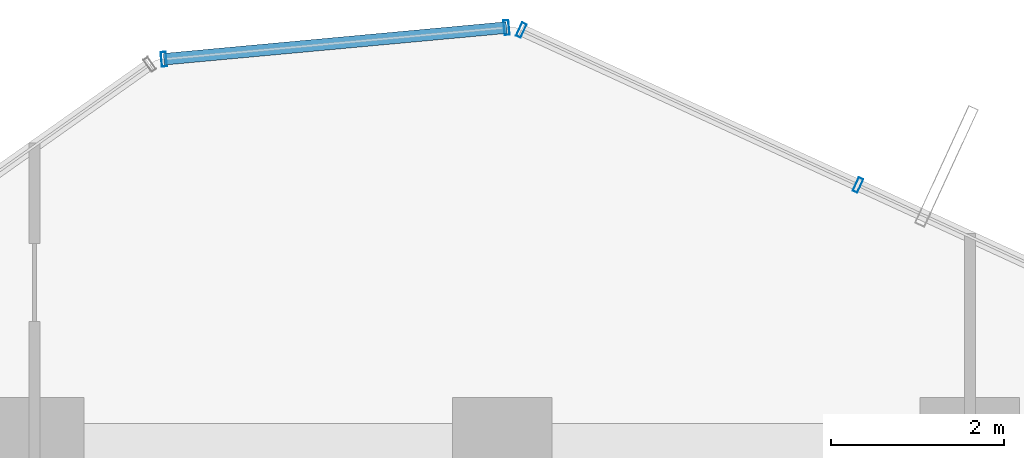
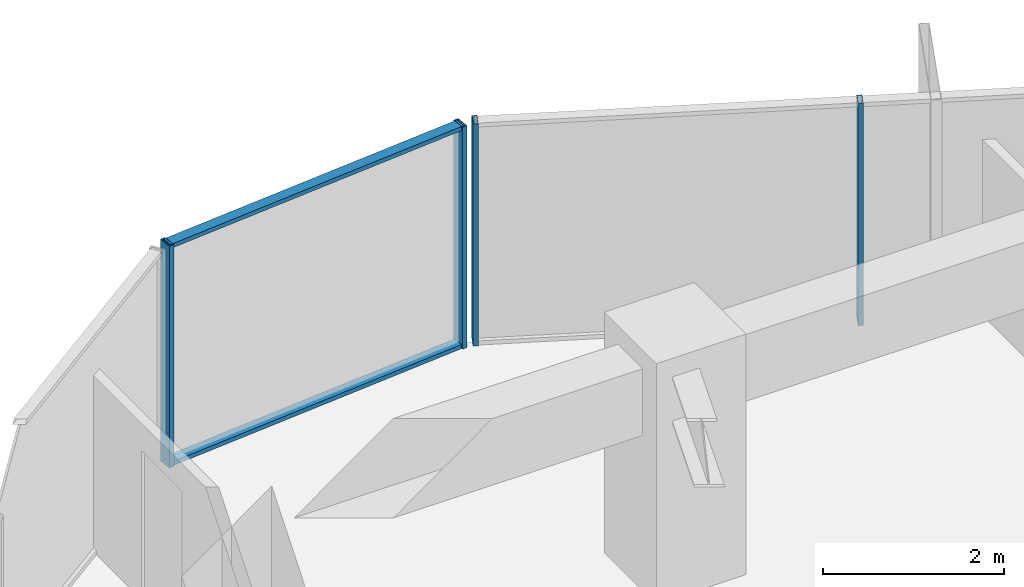
# One storey, part 25 of 33: 6 members, 2 elements without a shape of their own.
"""IFC4 building model written with IfcOpenShell, lengths in metres."""

from ifc_helpers import new_model, si_unit, direction, frame, origin, origin_2d, place, context, subcontext, project, spatial, hollow_rectangle, extrude, source, transform, mapped, material, layer, layer_set, material_profile, profile_set, type_object, element, aggregate, save


model = new_model("IFC4")

# Units and contexts
model_context = context("Model", 3, precision=1e-05, world=origin(), true_north=direction((0.0, 1.0)))
body_context = subcontext(model_context, "Body", "Model", "MODEL_VIEW")
ifc_project = project(units=[si_unit("LENGTHUNIT", "METRE"), si_unit("AREAUNIT", "SQUARE_METRE"), si_unit("VOLUMEUNIT", "CUBIC_METRE"), si_unit("PLANEANGLEUNIT", "RADIAN"), si_unit("MASSUNIT", "GRAM", prefix="KILO")], contexts=[model_context])

# Site, building, storey
site_placement = place(None, origin())
site = spatial("IfcSite", under=ifc_project, at=site_placement, CompositionType="ELEMENT")
building_placement = place(site_placement, origin())
building = spatial("IfcBuilding", under=site, at=building_placement, Name="Veraguas Prism Commons", CompositionType="ELEMENT")
storey_placement = place(building_placement, frame((0.0, 0.0, 145.75)))
storey = spatial("IfcBuildingStorey", under=building, at=storey_placement, Name="L41", CompositionType="ELEMENT", Elevation=145.75)

# Curtain wall, members
ifc_material = material(Name="Anodised aluminium EN AW-6063 T6", Category="aluminium")
ifc_layer = layer(ifc_material, 0.169921875, Name="Unitised Flush Curtain Wall Zone 2", Category="aluminium")
ifc_layer_set = layer_set([ifc_layer], Name="Anodised aluminium EN AW-6063 T6")
curtain_wall_type = type_object("IfcCurtainWallType", Name="Unitised Flush Curtain Wall Zone 2", PredefinedType="NOTDEFINED", material=ifc_layer_set)
curtain_wall_1_placement = place(storey_placement, origin())
curtain_wall_1 = element("IfcCurtainWall", 1, at=curtain_wall_1_placement, inside=storey, type_object=curtain_wall_type, Name="Tower Facade Curtain Wall L41-F1", PredefinedType="NOTDEFINED")
ifc_material_profile_1 = material_profile(ifc_material, hollow_rectangle(XDim=0.06005859375, YDim=0.169921875, WallThickness=0.00390625, at=origin_2d()), Name="AL60X170X4")
ifc_profile_set_1 = profile_set([ifc_material_profile_1], Name="Anodised aluminium EN AW-6063 T6")
member_type_1 = type_object("IfcMemberType", Name="Curtain Wall Mullion Lower AL 60x170x4", PredefinedType="MULLION", material=ifc_profile_set_1)
shared_shape_1 = source(origin(), body_context, "Body", "SweptSolid", [
    extrude(hollow_rectangle(XDim=0.06005859375, YDim=0.169921875, WallThickness=0.00390625, at=origin_2d()), origin(), (0.0, 0.0, 1.0), 3.0),
])
member_1_placement = place(storey_placement, frame((28.108154296875, 43.226318359375, 0.0), z_axis=(0.0, 0.0, 1.0), x_axis=(-0.908362988922, 0.418182592124, 0.0)))
member_1 = element("IfcMember", 2, at=member_1_placement, type_object=member_type_1, Name="CW-Z2 Mullion 4", PredefinedType="MULLION", context=body_context, shape_type="MappedRepresentation", body=[
    mapped(shared_shape_1, transform((0.0, 0.0, 0.0), scale=1.0)),
])
member_2_placement = place(storey_placement, frame((24.221435546875, 45.015625, 0.0), z_axis=(0.0, 0.0, 1.0), x_axis=(-0.908362988922, 0.418182592124, 0.0)))
member_2 = element("IfcMember", 3, at=member_2_placement, type_object=member_type_1, Name="CW-Z2 Mullion 5", PredefinedType="MULLION", context=body_context, shape_type="MappedRepresentation", body=[
    mapped(shared_shape_1, transform((0.0, 0.0, 0.0), scale=1.0)),
])
aggregate(curtain_wall_1, [member_1, member_2])

curtain_wall_2_placement = place(storey_placement, origin())
curtain_wall_2 = element("IfcCurtainWall", 4, at=curtain_wall_2_placement, inside=storey, type_object=curtain_wall_type, Name="Chamfer Curtain Wall L41-C2", PredefinedType="NOTDEFINED")
member_3_placement = place(storey_placement, frame((24.05029296875, 45.044921875, 0.0), z_axis=(0.0, 0.0, 1.0), x_axis=(-0.995755756591, -0.092035173796, 0.0)))
member_3 = element("IfcMember", 5, at=member_3_placement, type_object=member_type_1, Name="CW-Z2 Mullion 1", PredefinedType="MULLION", context=body_context, shape_type="MappedRepresentation", body=[
    mapped(shared_shape_1, transform((0.0, 0.0, 0.0), scale=1.0)),
])
member_4_placement = place(storey_placement, frame((20.093994140625, 44.679443359375, 0.0), z_axis=(0.0, 0.0, 1.0), x_axis=(-0.995755756591, -0.092035173796, 0.0)))
member_4 = element("IfcMember", 6, at=member_4_placement, type_object=member_type_1, Name="CW-Z2 Mullion 2", PredefinedType="MULLION", context=body_context, shape_type="MappedRepresentation", body=[
    mapped(shared_shape_1, transform((0.0, 0.0, 0.0), scale=1.0)),
])
ifc_material_profile_2 = material_profile(ifc_material, hollow_rectangle(XDim=0.054931640625, YDim=0.135009765625, WallThickness=0.0029296875, at=origin_2d()), Name="AL55X135X3")
ifc_profile_set_2 = profile_set([ifc_material_profile_2], Name="Anodised aluminium EN AW-6063 T6")
member_type_2 = type_object("IfcMemberType", Name="Curtain Wall Transom Standard AL 55x135x3", PredefinedType="USERDEFINED", material=ifc_profile_set_2)
shared_shape_2 = source(origin(), body_context, "Body", "SweptSolid", [
    extrude(hollow_rectangle(XDim=0.054931640625, YDim=0.135009765625, WallThickness=0.0029296875, at=origin_2d()), origin(), (0.0, 0.0, 1.0), 3.97314453125),
])
member_5_placement = place(storey_placement, frame((24.05029296875, 45.044921875, 0.027587890625), z_axis=(-0.995760187104, -0.091987226171, 0.0), x_axis=(0.0, 0.0, 1.0)))
member_5 = element("IfcMember", 7, at=member_5_placement, type_object=member_type_2, Name="CW-Z2 Transom 1", ObjectType="TRANSOM", PredefinedType="USERDEFINED", context=body_context, shape_type="MappedRepresentation", body=[
    mapped(shared_shape_2, transform((0.0, 0.0, 0.0), scale=1.0)),
])
member_6_placement = place(storey_placement, frame((24.05029296875, 45.044921875, 2.972412109375), z_axis=(-0.995760187104, -0.091987226171, 0.0), x_axis=(0.0, 0.0, 1.0)))
member_6 = element("IfcMember", 8, at=member_6_placement, type_object=member_type_2, Name="CW-Z2 Transom 2", ObjectType="TRANSOM", PredefinedType="USERDEFINED", context=body_context, shape_type="MappedRepresentation", body=[
    mapped(shared_shape_2, transform((0.0, 0.0, 0.0), scale=1.0)),
])
aggregate(curtain_wall_2, [member_3, member_4, member_5, member_6])

save(model, "model.ifc")
